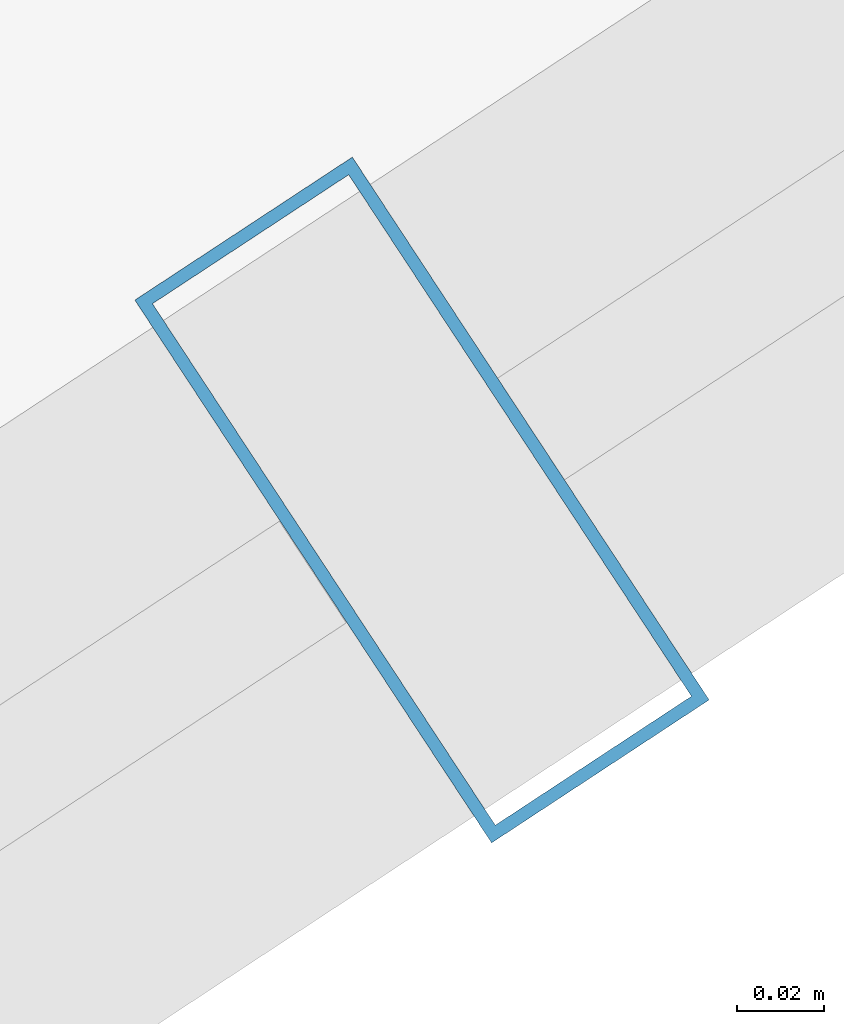
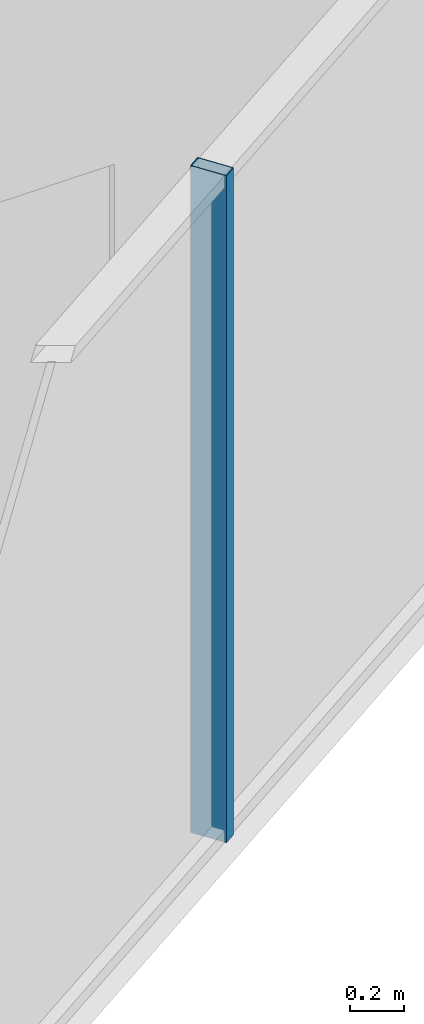
# One storey, part 8 of 33: 1 member, 1 element without a shape of its own.
"""IFC4 building model written with IfcOpenShell, lengths in metres."""

from ifc_helpers import new_model, si_unit, direction, frame, origin, origin_2d, place, context, subcontext, project, spatial, hollow_rectangle, extrude, source, transform, mapped, material, layer, layer_set, material_profile, profile_set, type_object, element, aggregate, save


model = new_model("IFC4")

# Units and contexts
model_context = context("Model", 3, precision=1e-05, world=origin(), true_north=direction((0.0, 1.0)))
body_context = subcontext(model_context, "Body", "Model", "MODEL_VIEW")
ifc_project = project(units=[si_unit("LENGTHUNIT", "METRE"), si_unit("AREAUNIT", "SQUARE_METRE"), si_unit("VOLUMEUNIT", "CUBIC_METRE"), si_unit("PLANEANGLEUNIT", "RADIAN"), si_unit("MASSUNIT", "GRAM", prefix="KILO")], contexts=[model_context])

# Site, building, storey
site_placement = place(None, origin())
site = spatial("IfcSite", under=ifc_project, at=site_placement, CompositionType="ELEMENT")
building_placement = place(site_placement, origin())
building = spatial("IfcBuilding", under=site, at=building_placement, Name="Veraguas Prism Commons", CompositionType="ELEMENT")
storey_placement = place(building_placement, frame((0.0, 0.0, 195.10009765625)))
storey = spatial("IfcBuildingStorey", under=building, at=storey_placement, Name="L55", CompositionType="ELEMENT", Elevation=195.10009765625)

# Curtain wall, member
ifc_material = material(Name="Anodised aluminium EN AW-6063 T6", Category="aluminium")
ifc_layer = layer(ifc_material, 0.14990234375, Name="Unitised Flush Curtain Wall Zone 3", Category="aluminium")
ifc_layer_set = layer_set([ifc_layer], Name="Anodised aluminium EN AW-6063 T6")
curtain_wall_type = type_object("IfcCurtainWallType", Name="Unitised Flush Curtain Wall Zone 3", PredefinedType="NOTDEFINED", material=ifc_layer_set)
curtain_wall_placement = place(storey_placement, origin())
curtain_wall = element("IfcCurtainWall", 1, at=curtain_wall_placement, inside=storey, type_object=curtain_wall_type, Name="Tower Facade Curtain Wall L55-F5", PredefinedType="NOTDEFINED")
ifc_material_profile = material_profile(ifc_material, hollow_rectangle(XDim=0.06005859375, YDim=0.14990234375, WallThickness=0.0029296875, at=origin_2d()), Name="AL60X150X3")
ifc_profile_set = profile_set([ifc_material_profile], Name="Anodised aluminium EN AW-6063 T6")
member_type = type_object("IfcMemberType", Name="Curtain Wall Mullion Upper AL 60x150x3", PredefinedType="MULLION", material=ifc_profile_set)
shared_shape = source(origin(), body_context, "Body", "SweptSolid", [
    extrude(hollow_rectangle(XDim=0.06005859375, YDim=0.14990234375, WallThickness=0.0029296875, at=origin_2d()), origin(), (0.0, 0.0, 1.0), 3.014892578125),
])
member_placement = place(storey_placement, frame((33.728515625, 9.201171875, 0.0), z_axis=(0.0, 0.0, 1.0), x_axis=(0.835621417698, 0.549305785774, 0.0)))
member = element("IfcMember", 2, at=member_placement, type_object=member_type, Name="CW-Z3 Mullion 3", PredefinedType="MULLION", context=body_context, shape_type="MappedRepresentation", body=[
    mapped(shared_shape, transform((0.0, 0.0, 0.0), scale=1.0)),
])
aggregate(curtain_wall, [member])

save(model, "model.ifc")
